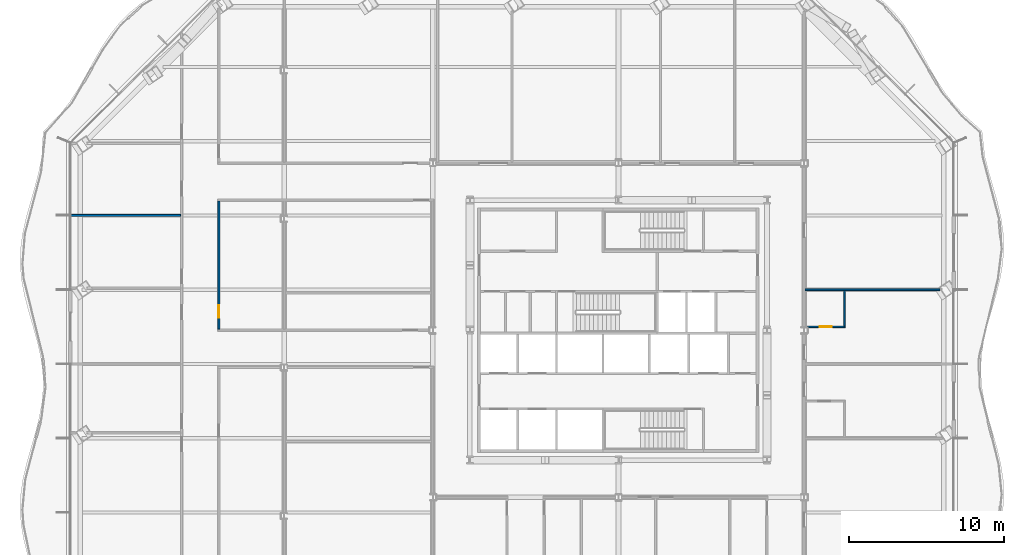
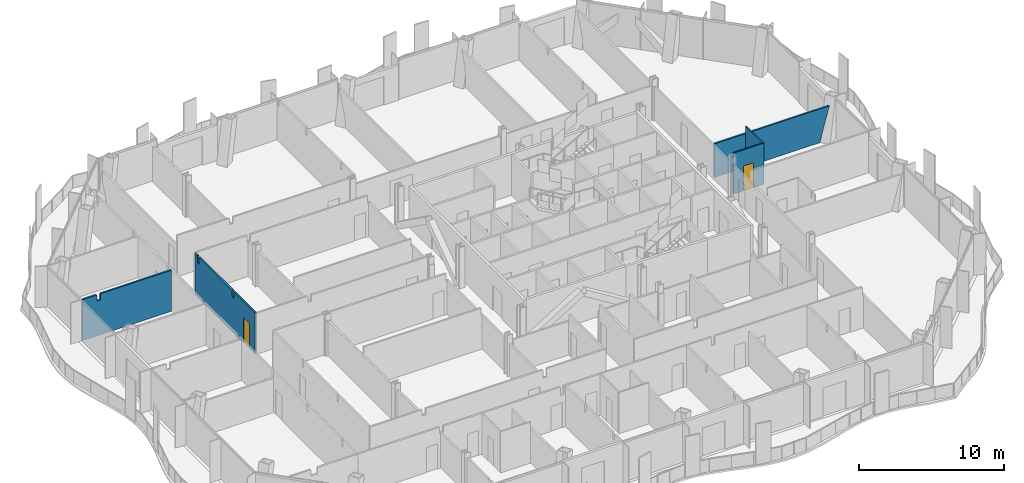
# One storey, part 10 of 19: 5 walls, 2 doors, 2 openings.
"""IFC4 building model written with IfcOpenShell, lengths in metres."""

from ifc_helpers import new_model, si_unit, direction, frame, frame_2d, origin, place, context, subcontext, project, spatial, polyline, rectangle, outline, extrude, material, layer, layer_set, type_object, element, fill, save


model = new_model("IFC4")

# Units and contexts
model_context = context("Model", 3, precision=1e-05, world=origin(), true_north=direction((0.0, 1.0)))
body_context = subcontext(model_context, "Body", "Model", "MODEL_VIEW")
ifc_project = project(units=[si_unit("LENGTHUNIT", "METRE"), si_unit("AREAUNIT", "SQUARE_METRE"), si_unit("VOLUMEUNIT", "CUBIC_METRE"), si_unit("PLANEANGLEUNIT", "RADIAN"), si_unit("MASSUNIT", "GRAM", prefix="KILO")], contexts=[model_context])

# Site, building, storey
site_placement = place(None, origin())
site = spatial("IfcSite", under=ifc_project, at=site_placement, CompositionType="ELEMENT")
building_placement = place(site_placement, origin())
building = spatial("IfcBuilding", under=site, at=building_placement, Name="Cairn Pilgrim Tower", CompositionType="ELEMENT")
storey_placement = place(building_placement, frame((0.0, 0.0, 90.60009765625)))
storey = spatial("IfcBuildingStorey", under=building, at=storey_placement, Name="L21", CompositionType="ELEMENT", Elevation=90.60009765625)

# Wall, opening, door
ifc_material_1 = material(Name="Gypsum partition")
ifc_layer_1 = layer(ifc_material_1, 0.10009765625)
ifc_layer_set_1 = layer_set([ifc_layer_1], Name="PARTITION 100 DRYWALL")
wall_type_1 = type_object("IfcWallType", Name="PARTITION 100 DRYWALL", PredefinedType="PARTITIONING", material=ifc_layer_set_1)
wall_1_placement = place(storey_placement, frame((19.404541015625, 2.614013671875, 0.0), z_axis=(0.0, 0.0, 1.0), x_axis=(1.0, 0.0, 0.0)))
wall_1 = element("IfcWall", 1, at=wall_1_placement, inside=storey, type_object=wall_type_1, Name="PARTITION W054", PredefinedType="PARTITIONING", context=body_context, shape_type="SweptSolid", body=[
    extrude(rectangle(XDim=2.445556640625, YDim=0.10009765625, at=frame_2d((1.22265625, 0.0))), origin(), (0.0, 0.0, 1.0), 3.449951171875),
])
opening_1_placement = place(wall_1_placement, frame((0.79541015625, 0.0, 0.0)))
opening_1 = element("IfcOpeningElement", 2, at=opening_1_placement, cuts=wall_1, Name="Opening 2123E", PredefinedType="OPENING", context=body_context, shape_type="SweptSolid", body=[
    extrude(rectangle(XDim=0.800048828125, YDim=2.10009765625, at=frame_2d((0.39990234375, 1.050048828125))), frame((0.0, 0.06005859375, 0.0), z_axis=(0.0, -1.0, 0.0), x_axis=(1.0, 0.0, 0.0)), (0.0, 0.0, 1.0), 0.1201171875),
])
ifc_material_2 = material(Name="Timber door leaf", Category="wood")
door_type_1 = type_object("IfcDoorType", Name="DOOR 800x2100", OperationType="NOTDEFINED", PredefinedType="DOOR", material=ifc_material_2)
door_1_placement = place(opening_1_placement, origin())
door_1 = element("IfcDoor", 3, at=door_1_placement, inside=storey, type_object=door_type_1, Name="DOOR 2123E", OperationType="SINGLE_SWING_RIGHT", OverallHeight=2.10009765625, OverallWidth=0.800048828125, PredefinedType="DOOR", context=body_context, shape_type="SweptSolid", body=[
    extrude(rectangle(XDim=0.800048828125, YDim=2.10009765625, at=frame_2d((0.39990234375, 1.050048828125))), frame((0.0, 0.02490234375, 0.0), z_axis=(0.0, -1.0, 0.0), x_axis=(1.0, 0.0, 0.0)), (0.0, 0.0, 1.0), 0.050048828125),
])
fill(opening_1, door_1)

# Wall
wall_2_placement = place(storey_placement, frame((21.800048828125, 2.6640625, 0.0), z_axis=(0.0, 0.0, 1.0), x_axis=(0.0, 1.0, 0.0)))
element("IfcWall", 4, at=wall_2_placement, inside=storey, type_object=wall_type_1, Name="PARTITION W055", PredefinedType="PARTITIONING", context=body_context, shape_type="SweptSolid", body=[
    extrude(rectangle(XDim=2.287353515625, YDim=0.10009765625, at=frame_2d((1.1435546875, 0.0))), origin(), (0.0, 0.0, 1.0), 3.449951171875),
])

# Wall, opening, door
ifc_layer_2 = layer(ifc_material_1, 0.125)
ifc_layer_set_2 = layer_set([ifc_layer_2], Name="PARTITION 125 DRYWALL EI 60")
wall_type_2 = type_object("IfcWallType", Name="PARTITION 125 DRYWALL EI 60", PredefinedType="PARTITIONING", material=ifc_layer_set_2)
wall_3_placement = place(storey_placement, frame((-18.6298828125, 2.46240234375, 0.0), z_axis=(0.0, 0.0, 1.0), x_axis=(0.0, 1.0, 0.0)))
wall_3 = element("IfcWall", 5, at=wall_3_placement, inside=storey, type_object=wall_type_2, Name="PARTITION W050", PredefinedType="PARTITIONING", context=body_context, shape_type="SweptSolid", body=[
    extrude(outline(polyline([(0.0, 0.0), (8.275146484375, 0.0), (8.27490234375, 3.449951171875), (7.914794921875, 3.449951171875), (7.912841796875, 2.8798828125), (7.704833984375, 2.8798828125), (7.702880859375, 3.449951171875), (3.11474609375, 3.449951171875), (3.11279296875, 2.8798828125), (2.90478515625, 2.8798828125), (2.90283203125, 3.449951171875), (0.0, 3.449951171875), (0.0, 0.0)])), frame((0.0, 0.0625, 0.0), z_axis=(0.0, -1.0, 0.0), x_axis=(1.0, 0.0, 0.0)), (0.0, 0.0, 1.0), 0.125),
])
opening_2_placement = place(wall_3_placement, frame((0.737548828125, 0.0, 0.0)))
opening_2 = element("IfcOpeningElement", 6, at=opening_2_placement, cuts=wall_3, Name="Opening 2130", PredefinedType="OPENING", context=body_context, shape_type="SweptSolid", body=[
    extrude(rectangle(XDim=0.800048828125, YDim=2.10009765625, at=frame_2d((0.39990234375, 1.050048828125))), frame((0.0, 0.072509765625, 0.0), z_axis=(0.0, -1.0, 0.0), x_axis=(1.0, 0.0, 0.0)), (0.0, 0.0, 1.0), 0.14501953125),
])
ifc_material_3 = material(Name="Steel-faced fire door leaf", Category="steel")
door_type_2 = type_object("IfcDoorType", Name="FIRE DOOR 800x2100 FD30S", OperationType="NOTDEFINED", PredefinedType="DOOR", material=ifc_material_3)
door_2_placement = place(opening_2_placement, frame((0.800048828125, 0.0, 0.0), z_axis=(0.0, 0.0, 1.0), x_axis=(-1.0, 0.0, 0.0)))
door_2 = element("IfcDoor", 7, at=door_2_placement, inside=storey, type_object=door_type_2, Name="DOOR 2130", OperationType="SINGLE_SWING_LEFT", OverallHeight=2.10009765625, OverallWidth=0.800048828125, PredefinedType="DOOR", context=body_context, shape_type="SweptSolid", body=[
    extrude(rectangle(XDim=0.800048828125, YDim=2.10009765625, at=frame_2d((0.39990234375, 1.050048828125))), frame((0.0, 0.02490234375, 0.0), z_axis=(0.0, -1.0, 0.0), x_axis=(1.0, 0.0, 0.0)), (0.0, 0.0, 1.0), 0.050048828125),
])
fill(opening_2, door_2)

# Walls
wall_4_placement = place(storey_placement, frame((19.262451171875, 5.013916015625, 0.0), z_axis=(0.0, 0.0, 1.0), x_axis=(1.0, 0.0, 0.0)))
element("IfcWall", 8, at=wall_4_placement, inside=storey, type_object=wall_type_2, Name="PARTITION W057", PredefinedType="PARTITIONING", context=body_context, shape_type="SweptSolid", body=[
    extrude(outline(polyline([(0.0, 0.0), (8.42333984375, 0.0), (8.619384765625, 0.8623046875), (8.857421875, 1.724853515625), (9.095458984375, 2.58740234375), (9.16259765625, 2.829833984375), (0.0, 2.829833984375), (0.0, 2.58740234375), (0.0, 1.724853515625), (0.0, 0.8623046875), (0.0, 0.0)])), frame((0.0, 0.0625, 0.0), z_axis=(0.0, -1.0, 0.0), x_axis=(1.0, 0.0, 0.0)), (0.0, 0.0, 1.0), 0.125),
])
wall_5_placement = place(storey_placement, frame((-28.16943359375, 9.81396484375, 0.0), z_axis=(0.0, 0.0, 1.0), x_axis=(1.0, 0.0, 0.0)))
element("IfcWall", 9, at=wall_5_placement, inside=storey, type_object=wall_type_2, Name="PARTITION W060", PredefinedType="PARTITIONING", context=body_context, shape_type="SweptSolid", body=[
    extrude(outline(polyline([(0.0, 0.0), (7.076904296875, 0.0), (7.076904296875, 3.449951171875), (1.427978515625, 3.449951171875), (1.42578125, 2.929931640625), (1.1279296875, 2.929931640625), (1.1259765625, 3.449951171875), (0.0, 3.449951171875), (0.0, 0.0)])), frame((0.0, 0.0625, 0.0), z_axis=(0.0, -1.0, 0.0), x_axis=(1.0, 0.0, 0.0)), (0.0, 0.0, 1.0), 0.125),
])

save(model, "model.ifc")
